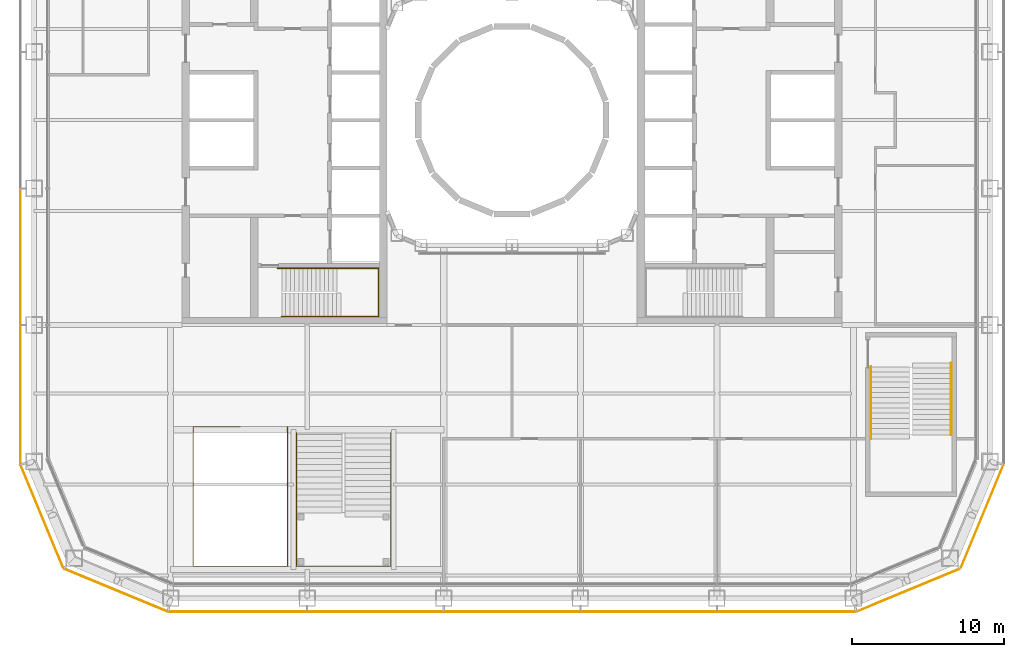
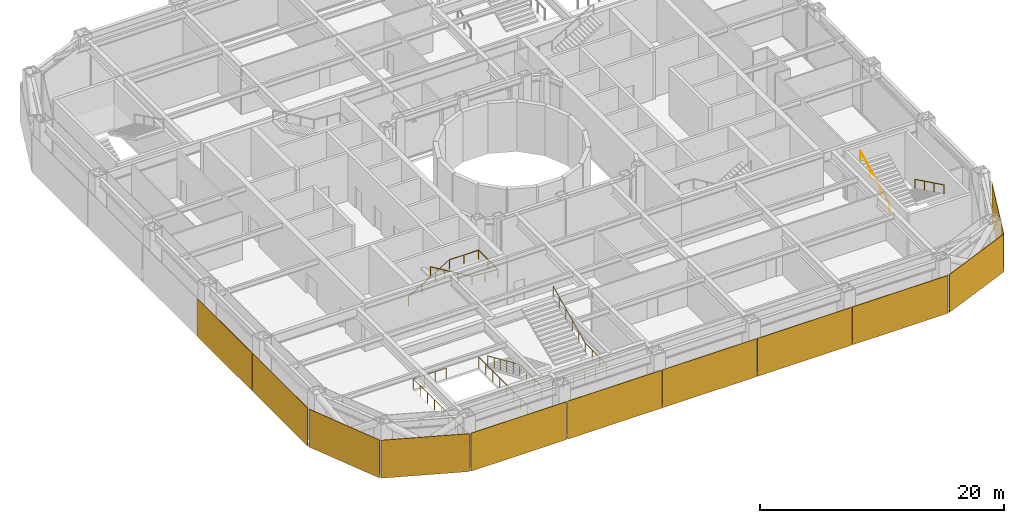
# One storey, part 21 of 25: 11 coverings, 5 railings.
"""IFC4 building model written with IfcOpenShell, lengths in metres."""

import ifcopenshell
import ifcopenshell.guid

model = None  # the IFC model being written
_history = None  # IfcOwnerHistory: only IFC2X3 demands one
_inside = {}  # id of a spatial element -> (the spatial element, [elements in it])
_under = {}  # id of a project, library or spatial element -> (it, [spatial elements below it])
_declared = {}  # id of a project -> (the project, [libraries it declares])
_typed = {}  # id of a type object -> (the type object, [elements of that type])
_made_of = {}  # id of a material, layer set ... -> (it, [elements and type objects made of it])


def new_model(schema):
    """Start an empty IFC model of exactly this schema.

    Asked for "IFC4X3", IfcOpenShell would pick the latest addendum, in which some entities
    have other attributes; the version numbers below select the first issue.
    IFC2X3 requires an IfcOwnerHistory on every rooted entity: one is made here for all.
    """
    global model, _history
    if schema == "IFC4X3":
        model = ifcopenshell.file(schema_version=(4, 3, 0, 0))
    else:
        model = ifcopenshell.file(schema=schema)
    _inside.clear()
    _under.clear()
    _declared.clear()
    _typed.clear()
    _made_of.clear()
    _history = None
    if model.schema == "IFC2X3":
        org = make("IfcOrganization", Name="unknown")
        user = make(
            "IfcPersonAndOrganization",
            ThePerson=make("IfcPerson", FamilyName="unknown"),
            TheOrganization=org,
        )
        app = make(
            "IfcApplication",
            ApplicationDeveloper=org,
            Version="unknown",
            ApplicationFullName="unknown",
            ApplicationIdentifier="unknown",
        )
        _history = make(
            "IfcOwnerHistory",
            OwningUser=user,
            OwningApplication=app,
            ChangeAction="ADDED",
            CreationDate=0,
        )
    return model


def make(cls, **values):
    """One entity of the class cls with the attributes given. An attribute that is None is left unset."""
    return model.create_entity(
        cls, **{name: value for name, value in values.items() if value is not None}
    )


def rooted(cls, **values):
    """An entity with a GlobalId (a new one), such as an element, a storey or a relation."""
    return make(cls, GlobalId=ifcopenshell.guid.new(), OwnerHistory=_history, **values)


def si_unit(unit_type, name, prefix=None):
    """IfcSIUnit, for example si_unit("LENGTHUNIT", "METRE", prefix="MILLI")."""
    return make("IfcSIUnit", UnitType=unit_type, Prefix=prefix, Name=name)


def assignment(units):
    """IfcUnitAssignment: the units of a project."""
    return None if units is None else make("IfcUnitAssignment", Units=units)


def point(xyz):
    """IfcCartesianPoint."""
    return None if xyz is None else make("IfcCartesianPoint", Coordinates=xyz)


def direction(xyz):
    """IfcDirection."""
    return None if xyz is None else make("IfcDirection", DirectionRatios=xyz)


def frame(location, z_axis=None, x_axis=None):
    """IfcAxis2Placement3D, a coordinate frame: its origin and axes. An axis left out is left unset."""
    return make(
        "IfcAxis2Placement3D",
        Location=point(location),
        Axis=direction(z_axis),
        RefDirection=direction(x_axis),
    )


def frame_2d(location, x_axis=None):
    """IfcAxis2Placement2D, a coordinate frame in the plane: its origin and x axis."""
    return make(
        "IfcAxis2Placement2D", Location=point(location), RefDirection=direction(x_axis)
    )


def origin():
    """The frame at (0, 0, 0) with its axes left unset."""
    return frame((0.0, 0.0, 0.0))


def origin_2d():
    """The frame at (0, 0) in the plane with its x axis left unset."""
    return frame_2d((0.0, 0.0))


def place(relative_to, where):
    """IfcLocalPlacement: puts the frame where relative to a parent placement (None: the world)."""
    return make(
        "IfcLocalPlacement", PlacementRelTo=relative_to, RelativePlacement=where
    )


def context(
    kind, dimensions, precision=None, world=None, true_north=None, identifier=None
):
    """IfcGeometricRepresentationContext, for example the 3D "Model" context."""
    return make(
        "IfcGeometricRepresentationContext",
        ContextIdentifier=identifier,
        ContextType=kind,
        CoordinateSpaceDimension=dimensions,
        Precision=precision,
        WorldCoordinateSystem=world,
        TrueNorth=true_north,
    )


def subcontext(parent, identifier, kind, view, scale=None):
    """IfcGeometricRepresentationSubContext, for example "Body" below "Model"."""
    return make(
        "IfcGeometricRepresentationSubContext",
        ContextIdentifier=identifier,
        ContextType=kind,
        ParentContext=parent,
        TargetScale=scale,
        TargetView=view,
    )


def project(units=None, contexts=None):
    """IfcProject with its units and contexts."""
    return rooted(
        "IfcProject",
        Name="project",
        RepresentationContexts=contexts,
        UnitsInContext=assignment(units),
    )


def spatial(cls, under=None, at=None, **own):
    """A site, building, storey or space (cls), placed at a placement, below another one or the project."""
    s = rooted(cls, ObjectPlacement=at, **own)
    if under is not None:
        _under.setdefault(under.id(), (under, []))[1].append(s)
    return s


def profile(cls, at=None, kind="AREA", **sizes):
    """A parametric profile (cls). Its sizes go by their IFC names, for example OverallWidth=200.0."""
    return make(cls, ProfileType=kind, Position=at, **sizes)


def rectangle(**sizes):
    """IfcRectangleProfileDef."""
    return profile("IfcRectangleProfileDef", **sizes)


def circle(**sizes):
    """IfcCircleProfileDef."""
    return profile("IfcCircleProfileDef", **sizes)


def extrude(swept, where, along, depth):
    """IfcExtrudedAreaSolid: the profile swept, set in the frame where, extruded along a direction by depth."""
    return make(
        "IfcExtrudedAreaSolid",
        SweptArea=swept,
        Position=where,
        ExtrudedDirection=direction(along),
        Depth=depth,
    )


def shape(context_of_items, identifier, shape_type, items):
    """IfcShapeRepresentation: the items that make up one representation, for example the "Body"."""
    return make(
        "IfcShapeRepresentation",
        ContextOfItems=context_of_items,
        RepresentationIdentifier=identifier,
        RepresentationType=shape_type,
        Items=items,
    )


def material(Name=None, Category=None):
    """IfcMaterial."""
    return make("IfcMaterial", Name=Name, Category=Category)


def layer(
    of_material, thickness, ventilated=None, Name=None, Category=None, Priority=None
):
    """IfcMaterialLayer: one layer of a wall or slab, of a material (None: an air gap)."""
    return make(
        "IfcMaterialLayer",
        Material=of_material,
        LayerThickness=thickness,
        IsVentilated=ventilated,
        Name=Name,
        Category=Category,
        Priority=Priority,
    )


def layer_set(layers, Name=None):
    """IfcMaterialLayerSet."""
    return make("IfcMaterialLayerSet", MaterialLayers=layers, LayerSetName=Name)


def made_of(thing, what):
    """Note that an element or type object is made of a material, layer set ...; save() writes the relation."""
    if what is not None:
        _made_of.setdefault(what.id(), (what, []))[1].append(thing)
    return thing


def type_object(cls, material=None, **own):
    """A type object (cls), such as IfcWallType, which elements share."""
    return made_of(rooted(cls, **own), material)


def element(
    cls,
    number,
    at=None,
    inside=None,
    cuts=None,
    type_object=None,
    material=None,
    context=None,
    identifier="Body",
    shape_type=None,
    held_by="IfcProductDefinitionShape",
    body=None,
    shapes=None,
    **own,
):
    """One element of the class cls, such as IfcWall. Its Tag is "e" and its number.

    at: its placement. inside: the storey or other place that contains it. cuts: it is an
    opening in that element (IfcRelVoidsElement). A single representation is given by context,
    identifier, shape_type and body (its items); several are given by shapes. held_by: the class
    of the entity that holds the representations. save() writes the other relations.
    """
    e = rooted(cls, Tag="e%d" % number, ObjectPlacement=at, **own)
    if body is not None:
        shapes = [shape(context, identifier, shape_type, body)]
    if shapes is not None:
        e.Representation = make(held_by, Representations=shapes)
    if inside is not None:
        _inside.setdefault(inside.id(), (inside, []))[1].append(e)
    if cuts is not None:
        rooted(
            "IfcRelVoidsElement", RelatingBuildingElement=cuts, RelatedOpeningElement=e
        )
    if type_object is not None:
        _typed.setdefault(type_object.id(), (type_object, []))[1].append(e)
    return made_of(e, material)


def aggregate(whole, parts):
    """IfcRelAggregates: a whole, such as a stair, and the parts it consists of."""
    return rooted("IfcRelAggregates", RelatingObject=whole, RelatedObjects=parts)


def save(model, path):
    """Write the relations noted so far, then the file.

    IfcRelAggregates (storeys below a building ...), IfcRelContainedInSpatialStructure (elements
    in a storey), IfcRelDefinesByType, IfcRelAssociatesMaterial and IfcRelDeclares: one each for
    every whole, place, type object, material and project.
    """
    for whole, parts in _under.values():
        aggregate(whole, parts)
    for where, things in _inside.values():
        rooted(
            "IfcRelContainedInSpatialStructure",
            RelatedElements=things,
            RelatingStructure=where,
        )
    for kind, things in _typed.values():
        rooted("IfcRelDefinesByType", RelatedObjects=things, RelatingType=kind)
    for what, things in _made_of.values():
        rooted("IfcRelAssociatesMaterial", RelatedObjects=things, RelatingMaterial=what)
    for by, libraries in _declared.values():
        rooted("IfcRelDeclares", RelatingContext=by, RelatedDefinitions=libraries)
    model.write(path)


model = new_model("IFC4")

# Units and contexts
model_context = context("Model", 3, precision=1e-05, world=origin(), true_north=direction((0.0, 1.0)))
body_context = subcontext(model_context, "Body", "Model", "MODEL_VIEW")
ifc_project = project(units=[si_unit("LENGTHUNIT", "METRE"), si_unit("AREAUNIT", "SQUARE_METRE"), si_unit("VOLUMEUNIT", "CUBIC_METRE"), si_unit("PLANEANGLEUNIT", "RADIAN"), si_unit("MASSUNIT", "GRAM", prefix="KILO")], contexts=[model_context])

# Site, building, storey
site_placement = place(None, origin())
site = spatial("IfcSite", under=ifc_project, at=site_placement, CompositionType="ELEMENT")
building_placement = place(site_placement, origin())
building = spatial("IfcBuilding", under=site, at=building_placement, Name="Siwar Civic Tower", CompositionType="ELEMENT")
storey_placement = place(building_placement, frame((0.0, 0.0, 7.199951171875)))
storey = spatial("IfcBuildingStorey", under=building, at=storey_placement, Name="L01", CompositionType="ELEMENT", Elevation=7.199951171875)

# Railing
ifc_material_1 = material(Name="Stainless steel", Category="steel")
railing_type_1 = type_object("IfcRailingType", Name="CORE-STAIR-HANDRAIL", PredefinedType="HANDRAIL", material=ifc_material_1)
railing_1_placement = place(storey_placement, frame((-15.449951171875, -9.758056640625, 0.166748046875)))
element("IfcRailing", 1, at=railing_1_placement, inside=storey, type_object=railing_type_1, Name="Stair handrail ST2", PredefinedType="HANDRAIL", context=body_context, shape_type="SweptSolid", body=[
    extrude(circle(Radius=0.02001953125, at=origin_2d()), frame((0.0, 0.0, 0.8798828125), z_axis=(0.856384976194, 0.0, 0.516337847296), x_axis=(0.0, 1.0, 0.0)), (0.0, 0.0, 1.0), 4.518798828125),
    extrude(circle(Radius=0.02001953125, at=origin_2d()), frame((3.869873046875, 0.0, 3.213134765625), z_axis=(1.0, 0.0, 0.0), x_axis=(0.0, 1.0, 0.0)), (0.0, 0.0, 1.0), 2.77197265625),
    extrude(circle(Radius=0.02001953125, at=origin_2d()), frame((6.641845703125, 0.0, 3.213134765625), z_axis=(0.0, -1.0, 0.0), x_axis=(1.0, 0.0, 0.0)), (0.0, 0.0, 1.0), 3.183837890625),
    extrude(circle(Radius=0.02001953125, at=origin_2d()), frame((6.641845703125, -3.183837890625, 3.213134765625), z_axis=(-0.997732526271, 0.0, 0.067303833624), x_axis=(0.0, -1.0, 0.0)), (0.0, 0.0, 1.0), 2.4775390625),
    extrude(circle(Radius=0.02001953125, at=origin_2d()), frame((4.169921875, -3.183837890625, 3.3798828125), z_axis=(-0.859296244711, 0.0, 0.511478214419), x_axis=(0.0, -1.0, 0.0)), (0.0, 0.0, 1.0), 4.561767578125),
    extrude(circle(Radius=0.02001953125, at=origin_2d()), origin(), (0.0, 0.0, 1.0), 0.85986328125),
    extrude(circle(Radius=0.02001953125, at=origin_2d()), frame((1.2900390625, 0.0, 0.77783203125)), (0.0, 0.0, 1.0), 0.85986328125),
    extrude(circle(Radius=0.02001953125, at=origin_2d()), frame((2.579833984375, 0.0, 1.555419921875)), (0.0, 0.0, 1.0), 0.85986328125),
    extrude(circle(Radius=0.02001953125, at=origin_2d()), frame((3.869873046875, 0.0, 2.333251953125)), (0.0, 0.0, 1.0), 0.85986328125),
    extrude(circle(Radius=0.02001953125, at=origin_2d()), frame((5.255859375, 0.0, 2.333251953125)), (0.0, 0.0, 1.0), 0.85986328125),
    extrude(circle(Radius=0.02001953125, at=origin_2d()), frame((6.641845703125, 0.0, 2.333251953125)), (0.0, 0.0, 1.0), 0.85986328125),
    extrude(circle(Radius=0.02001953125, at=origin_2d()), frame((6.641845703125, -1.591796875, 2.333251953125)), (0.0, 0.0, 1.0), 0.85986328125),
    extrude(circle(Radius=0.02001953125, at=origin_2d()), frame((6.641845703125, -3.183837890625, 2.333251953125)), (0.0, 0.0, 1.0), 0.85986328125),
    extrude(circle(Radius=0.02001953125, at=origin_2d()), frame((5.40576171875, -3.183837890625, 2.41650390625)), (0.0, 0.0, 1.0), 0.85986328125),
    extrude(circle(Radius=0.02001953125, at=origin_2d()), frame((4.169921875, -3.183837890625, 2.5)), (0.0, 0.0, 1.0), 0.85986328125),
    extrude(circle(Radius=0.02001953125, at=origin_2d()), frame((2.86328125, -3.183837890625, 3.27783203125)), (0.0, 0.0, 1.0), 0.85986328125),
    extrude(circle(Radius=0.02001953125, at=origin_2d()), frame((1.556640625, -3.183837890625, 4.055419921875)), (0.0, 0.0, 1.0), 0.85986328125),
    extrude(circle(Radius=0.02001953125, at=origin_2d()), frame((0.25, -3.183837890625, 4.833251953125)), (0.0, 0.0, 1.0), 0.85986328125),
])

# Coverings
ifc_material_2 = material(Name="Perforated aluminium cassette, pale metal", Category="aluminium")
ifc_layer_1 = layer(ifc_material_2, 0.044921875)
ifc_layer_set_1 = layer_set([ifc_layer_1], Name="Perforated aluminium cassette, pale metal")
covering_type_1 = type_object("IfcCoveringType", Name="ENV-OUTER SKIN OS-2", PredefinedType="CLADDING", material=ifc_layer_set_1)
covering_1_placement = place(storey_placement, frame((30.976318359375, -26.115966796875, -0.2001953125), z_axis=(0.0, 0.0, 1.0), x_axis=(0.382683432365, 0.923879532511, 0.0)))
element("IfcCovering", 2, at=covering_1_placement, inside=storey, type_object=covering_type_1, Name="OUTER SKIN OS-2 SE2 1", PredefinedType="CLADDING", context=body_context, shape_type="SweptSolid", body=[
    extrude(rectangle(XDim=7.300048828125, YDim=0.044921875, at=origin_2d()), origin(), (0.0, 0.0, 1.0), 3.800048828125),
])
ifc_material_3 = material(Name="Perforated aluminium cassette, pale metal", Category="aluminium")
ifc_layer_2 = layer(ifc_material_3, 0.050048828125)
ifc_layer_set_2 = layer_set([ifc_layer_2], Name="Perforated aluminium cassette, pale metal")
covering_type_2 = type_object("IfcCoveringType", Name="ENV-OUTER SKIN OS-3", PredefinedType="CLADDING", material=ifc_layer_set_2)
covering_2_placement = place(storey_placement, frame((26.115966796875, -30.976318359375, -0.2001953125), z_axis=(0.0, 0.0, 1.0), x_axis=(0.923879532511, 0.382683432365, 0.0)))
element("IfcCovering", 3, at=covering_2_placement, inside=storey, type_object=covering_type_2, Name="OUTER SKIN OS-3 SE1 1", PredefinedType="CLADDING", context=body_context, shape_type="SweptSolid", body=[
    extrude(rectangle(XDim=7.300048828125, YDim=0.050048828125, at=origin_2d()), origin(), (0.0, 0.0, 1.0), 3.800048828125),
])
covering_3_placement = place(storey_placement, frame((-32.39990234375, -9.0, -0.2001953125), z_axis=(0.0, 0.0, 1.0), x_axis=(0.0, -1.0, 0.0)))
element("IfcCovering", 4, at=covering_3_placement, inside=storey, type_object=covering_type_2, Name="OUTER SKIN OS-3 W 4", PredefinedType="CLADDING", context=body_context, shape_type="SweptSolid", body=[
    extrude(rectangle(XDim=8.89990234375, YDim=0.050048828125, at=origin_2d()), origin(), (0.0, 0.0, 1.0), 3.800048828125),
])
covering_4_placement = place(storey_placement, frame((-32.39990234375, -18.07958984375, -0.2001953125), z_axis=(0.0, 0.0, 1.0), x_axis=(0.0, -1.0, 0.0)))
element("IfcCovering", 5, at=covering_4_placement, inside=storey, type_object=covering_type_2, Name="OUTER SKIN OS-3 W 5", PredefinedType="CLADDING", context=body_context, shape_type="SweptSolid", body=[
    extrude(rectangle(XDim=9.05908203125, YDim=0.050048828125, at=origin_2d()), origin(), (0.0, 0.0, 1.0), 3.800048828125),
])
ifc_material_4 = material(Name="Perforated aluminium cassette, pale metal", Category="aluminium")
ifc_layer_3 = layer(ifc_material_4, 0.054931640625)
ifc_layer_set_3 = layer_set([ifc_layer_3], Name="Perforated aluminium cassette, pale metal")
covering_type_3 = type_object("IfcCoveringType", Name="ENV-OUTER SKIN OS-4", PredefinedType="CLADDING", material=ifc_layer_set_3)
covering_5_placement = place(storey_placement, frame((-18.07958984375, -32.39990234375, -0.2001953125), z_axis=(0.0, 0.0, 1.0), x_axis=(1.0, 0.0, 0.0)))
element("IfcCovering", 6, at=covering_5_placement, inside=storey, type_object=covering_type_3, Name="OUTER SKIN OS-4 S 1", PredefinedType="CLADDING", context=body_context, shape_type="SweptSolid", body=[
    extrude(rectangle(XDim=9.05908203125, YDim=0.054931640625, at=origin_2d()), origin(), (0.0, 0.0, 1.0), 3.800048828125),
])
for number, where, z_axis, x_axis, name in (
    (7, (-9.0, -32.39990234375, -0.2001953125), (0.0, 0.0, 1.0), (1.0, 0.0, 0.0), "OUTER SKIN OS-4 S 2"),
    (8, (0.0, -32.39990234375, -0.2001953125), (0.0, 0.0, 1.0), (1.0, 0.0, 0.0), "OUTER SKIN OS-4 S 3"),
    (9, (9.0, -32.39990234375, -0.2001953125), (0.0, 0.0, 1.0), (1.0, 0.0, 0.0), "OUTER SKIN OS-4 S 4"),
):
    element("IfcCovering", number, at=place(storey_placement, frame(where, z_axis=z_axis, x_axis=x_axis)), inside=storey, type_object=covering_type_3, Name=name, PredefinedType="CLADDING", context=body_context, shape_type="SweptSolid", body=[
        extrude(rectangle(XDim=8.89990234375, YDim=0.054931640625, at=origin_2d()), origin(), (0.0, 0.0, 1.0), 3.800048828125),
    ])
covering_6_placement = place(storey_placement, frame((18.07958984375, -32.39990234375, -0.2001953125), z_axis=(0.0, 0.0, 1.0), x_axis=(1.0, 0.0, 0.0)))
element("IfcCovering", 10, at=covering_6_placement, inside=storey, type_object=covering_type_3, Name="OUTER SKIN OS-4 S 5", PredefinedType="CLADDING", context=body_context, shape_type="SweptSolid", body=[
    extrude(rectangle(XDim=9.05908203125, YDim=0.054931640625, at=origin_2d()), origin(), (0.0, 0.0, 1.0), 3.800048828125),
])
for number, where, z_axis, x_axis, name in (
    (11, (-30.976318359375, -26.115966796875, -0.2001953125), (0.0, 0.0, 1.0), (0.382683432365, -0.923879532511, 0.0), "OUTER SKIN OS-4 SW1 1"),
    (12, (-26.115966796875, -30.976318359375, -0.2001953125), (0.0, 0.0, 1.0), (0.923879532511, -0.382683432365, 0.0), "OUTER SKIN OS-4 SW2 1"),
):
    element("IfcCovering", number, at=place(storey_placement, frame(where, z_axis=z_axis, x_axis=x_axis)), inside=storey, type_object=covering_type_3, Name=name, PredefinedType="CLADDING", context=body_context, shape_type="SweptSolid", body=[
        extrude(rectangle(XDim=7.300048828125, YDim=0.054931640625, at=origin_2d()), origin(), (0.0, 0.0, 1.0), 3.800048828125),
    ])

# Railings
ifc_material_5 = material(Name="Stainless steel", Category="steel")
railing_type_2 = type_object("IfcRailingType", Name="GND-HANDRAIL", PredefinedType="HANDRAIL", material=ifc_material_5)
railing_2_placement = place(storey_placement, frame((28.94189453125, -16.0, 0.166748046875)))
element("IfcRailing", 13, at=railing_2_placement, inside=storey, type_object=railing_type_2, Name="Stair handrail ST6", PredefinedType="HANDRAIL", context=body_context, shape_type="SweptSolid", body=[
    extrude(circle(Radius=0.02001953125, at=origin_2d()), frame((0.0, 0.0, 0.8798828125), z_axis=(0.0, -0.897927146867, 0.440144111535), x_axis=(1.0, 0.0, 0.0)), (0.0, 0.0, 1.0), 5.301025390625),
    extrude(circle(Radius=0.02001953125, at=origin_2d()), origin(), (0.0, 0.0, 1.0), 0.85986328125),
    extrude(circle(Radius=0.02001953125, at=origin_2d()), frame((0.0, -1.586669921875, 0.77783203125)), (0.0, 0.0, 1.0), 0.85986328125),
    extrude(circle(Radius=0.02001953125, at=origin_2d()), frame((0.0, -3.17333984375, 1.555419921875)), (0.0, 0.0, 1.0), 0.85986328125),
    extrude(circle(Radius=0.02001953125, at=origin_2d()), frame((0.0, -4.760009765625, 2.333251953125)), (0.0, 0.0, 1.0), 0.85986328125),
])
railing_3_placement = place(storey_placement, frame((23.657958984375, -21.010009765625, 2.666748046875)))
element("IfcRailing", 14, at=railing_3_placement, inside=storey, type_object=railing_type_2, Name="Stair handrail ST6", PredefinedType="HANDRAIL", context=body_context, shape_type="SweptSolid", body=[
    extrude(circle(Radius=0.02001953125, at=origin_2d()), frame((0.0, 0.0, 0.8798828125), z_axis=(0.0, 0.897927146867, 0.440144111535), x_axis=(-1.0, 0.0, 0.0)), (0.0, 0.0, 1.0), 5.301025390625),
    extrude(circle(Radius=0.02001953125, at=origin_2d()), origin(), (0.0, 0.0, 1.0), 0.85986328125),
    extrude(circle(Radius=0.02001953125, at=origin_2d()), frame((0.0, 1.586669921875, 0.77783203125)), (0.0, 0.0, 1.0), 0.85986328125),
    extrude(circle(Radius=0.02001953125, at=origin_2d()), frame((0.0, 3.17333984375, 1.555419921875)), (0.0, 0.0, 1.0), 0.85986328125),
    extrude(circle(Radius=0.02001953125, at=origin_2d()), frame((0.0, 4.760009765625, 2.333251953125)), (0.0, 0.0, 1.0), 0.85986328125),
])
ifc_material_6 = material(Name="Stainless steel", Category="steel")
railing_type_3 = type_object("IfcRailingType", Name="GND-RAIL", PredefinedType="GUARDRAIL", material=ifc_material_6)
railing_4_placement = place(storey_placement, frame((-17.89990234375, -20.199951171875, 0.0)))
element("IfcRailing", 15, at=railing_4_placement, inside=storey, type_object=railing_type_3, Name="Opening guard GS1", PredefinedType="GUARDRAIL", context=body_context, shape_type="SweptSolid", body=[
    extrude(circle(Radius=0.02392578125, at=origin_2d()), frame((0.0, 0.0, 1.076171875), z_axis=(-1.0, 0.0, 0.0), x_axis=(0.0, -1.0, 0.0)), (0.0, 0.0, 1.0), 3.10009765625),
    extrude(circle(Radius=0.02392578125, at=origin_2d()), frame((-3.10009765625, 0.0, 1.076171875), z_axis=(0.0, -1.0, 0.0), x_axis=(1.0, 0.0, 0.0)), (0.0, 0.0, 1.0), 9.199951171875),
    extrude(circle(Radius=0.02392578125, at=origin_2d()), frame((-3.10009765625, -9.199951171875, 1.076171875), z_axis=(1.0, 0.0, 0.0), x_axis=(0.0, 1.0, 0.0)), (0.0, 0.0, 1.0), 6.199951171875),
    extrude(circle(Radius=0.02392578125, at=origin_2d()), frame((3.099853515625, -9.199951171875, 1.076171875), z_axis=(0.0, 1.0, 0.0), x_axis=(-1.0, 0.0, 0.0)), (0.0, 0.0, 1.0), 9.199951171875),
    extrude(circle(Radius=0.02099609375, at=origin_2d()), origin(), (0.0, 0.0, 1.0), 1.052001953125),
    extrude(circle(Radius=0.02099609375, at=origin_2d()), frame((-1.033447265625, 0.0, 0.0)), (0.0, 0.0, 1.0), 1.052001953125),
    extrude(circle(Radius=0.02099609375, at=origin_2d()), frame((-2.066650390625, 0.0, 0.0)), (0.0, 0.0, 1.0), 1.052001953125),
    extrude(circle(Radius=0.02099609375, at=origin_2d()), frame((-3.10009765625, 0.0, 0.0)), (0.0, 0.0, 1.0), 1.052001953125),
    extrude(circle(Radius=0.02099609375, at=origin_2d()), frame((-3.10009765625, -1.14990234375, 0.0)), (0.0, 0.0, 1.0), 1.052001953125),
    extrude(circle(Radius=0.02099609375, at=origin_2d()), frame((-3.10009765625, -2.300048828125, 0.0)), (0.0, 0.0, 1.0), 1.052001953125),
    extrude(circle(Radius=0.02099609375, at=origin_2d()), frame((-3.10009765625, -3.449951171875, 0.0)), (0.0, 0.0, 1.0), 1.052001953125),
    extrude(circle(Radius=0.02099609375, at=origin_2d()), frame((-3.10009765625, -4.60009765625, 0.0)), (0.0, 0.0, 1.0), 1.052001953125),
    extrude(circle(Radius=0.02099609375, at=origin_2d()), frame((-3.10009765625, -5.75, 0.0)), (0.0, 0.0, 1.0), 1.052001953125),
    extrude(circle(Radius=0.02099609375, at=origin_2d()), frame((-3.10009765625, -6.89990234375, 0.0)), (0.0, 0.0, 1.0), 1.052001953125),
    extrude(circle(Radius=0.02099609375, at=origin_2d()), frame((-3.10009765625, -8.050048828125, 0.0)), (0.0, 0.0, 1.0), 1.052001953125),
    extrude(circle(Radius=0.02099609375, at=origin_2d()), frame((-3.10009765625, -9.199951171875, 0.0)), (0.0, 0.0, 1.0), 1.052001953125),
    extrude(circle(Radius=0.02099609375, at=origin_2d()), frame((-2.06689453125, -9.199951171875, 0.0)), (0.0, 0.0, 1.0), 1.052001953125),
    extrude(circle(Radius=0.02099609375, at=origin_2d()), frame((-1.033447265625, -9.199951171875, 0.0)), (0.0, 0.0, 1.0), 1.052001953125),
    extrude(circle(Radius=0.02099609375, at=origin_2d()), frame((0.0, -9.199951171875, 0.0)), (0.0, 0.0, 1.0), 1.052001953125),
    extrude(circle(Radius=0.02099609375, at=origin_2d()), frame((1.033203125, -9.199951171875, 0.0)), (0.0, 0.0, 1.0), 1.052001953125),
    extrude(circle(Radius=0.02099609375, at=origin_2d()), frame((2.06640625, -9.199951171875, 0.0)), (0.0, 0.0, 1.0), 1.052001953125),
    extrude(circle(Radius=0.02099609375, at=origin_2d()), frame((3.099853515625, -9.199951171875, 0.0)), (0.0, 0.0, 1.0), 1.052001953125),
    extrude(circle(Radius=0.02099609375, at=origin_2d()), frame((3.099853515625, -8.050048828125, 0.0)), (0.0, 0.0, 1.0), 1.052001953125),
    extrude(circle(Radius=0.02099609375, at=origin_2d()), frame((3.099853515625, -6.89990234375, 0.0)), (0.0, 0.0, 1.0), 1.052001953125),
    extrude(circle(Radius=0.02099609375, at=origin_2d()), frame((3.099853515625, -5.75, 0.0)), (0.0, 0.0, 1.0), 1.052001953125),
    extrude(circle(Radius=0.02099609375, at=origin_2d()), frame((3.099853515625, -4.60009765625, 0.0)), (0.0, 0.0, 1.0), 1.052001953125),
    extrude(circle(Radius=0.02099609375, at=origin_2d()), frame((3.099853515625, -3.449951171875, 0.0)), (0.0, 0.0, 1.0), 1.052001953125),
    extrude(circle(Radius=0.02099609375, at=origin_2d()), frame((3.099853515625, -2.300048828125, 0.0)), (0.0, 0.0, 1.0), 1.052001953125),
    extrude(circle(Radius=0.02099609375, at=origin_2d()), frame((3.099853515625, -1.14990234375, 0.0)), (0.0, 0.0, 1.0), 1.052001953125),
    extrude(circle(Radius=0.02099609375, at=origin_2d()), frame((3.099853515625, 0.0, 0.0)), (0.0, 0.0, 1.0), 1.052001953125),
])
railing_5_placement = place(storey_placement, frame((-14.199951171875, -20.60009765625, 0.166748046875)))
element("IfcRailing", 16, at=railing_5_placement, inside=storey, type_object=railing_type_3, Name="Guard GS1", PredefinedType="GUARDRAIL", context=body_context, shape_type="SweptSolid", body=[
    extrude(circle(Radius=0.02392578125, at=origin_2d()), frame((0.0, 0.0, 1.076171875), z_axis=(0.0, -0.913816805682, 0.406126637458), x_axis=(1.0, 0.0, 0.0)), (0.0, 0.0, 1.0), 5.7451171875),
    extrude(circle(Radius=0.02392578125, at=origin_2d()), frame((0.0, -5.25, 3.4091796875), z_axis=(0.0, -1.0, 0.0), x_axis=(1.0, 0.0, 0.0)), (0.0, 0.0, 1.0), 3.5498046875),
    extrude(circle(Radius=0.02392578125, at=origin_2d()), frame((0.0, -8.7998046875, 3.4091796875), z_axis=(1.0, 0.0, 0.0), x_axis=(0.0, 1.0, 0.0)), (0.0, 0.0, 1.0), 6.199951171875),
    extrude(circle(Radius=0.02392578125, at=origin_2d()), frame((6.199951171875, -8.7998046875, 3.4091796875), z_axis=(0.0, 1.0, 0.0), x_axis=(-1.0, 0.0, 0.0)), (0.0, 0.0, 1.0), 3.5498046875),
    extrude(circle(Radius=0.02392578125, at=origin_2d()), frame((6.199951171875, -5.25, 3.4091796875), z_axis=(0.0, 0.902860518824, 0.429933580392), x_axis=(-1.0, 0.0, 0.0)), (0.0, 0.0, 1.0), 5.81494140625),
    extrude(circle(Radius=0.02099609375, at=origin_2d()), origin(), (0.0, 0.0, 1.0), 1.052001953125),
    extrude(circle(Radius=0.02099609375, at=origin_2d()), frame((0.0, -1.050048828125, 0.466552734375)), (0.0, 0.0, 1.0), 1.052001953125),
    extrude(circle(Radius=0.02099609375, at=origin_2d()), frame((0.0, -2.10009765625, 0.933349609375)), (0.0, 0.0, 1.0), 1.052001953125),
    extrude(circle(Radius=0.02099609375, at=origin_2d()), frame((0.0, -3.14990234375, 1.39990234375)), (0.0, 0.0, 1.0), 1.052001953125),
    extrude(circle(Radius=0.02099609375, at=origin_2d()), frame((0.0, -4.199951171875, 1.86669921875)), (0.0, 0.0, 1.0), 1.052001953125),
    extrude(circle(Radius=0.02099609375, at=origin_2d()), frame((0.0, -5.25, 2.333251953125)), (0.0, 0.0, 1.0), 1.052001953125),
    extrude(circle(Radius=0.02099609375, at=origin_2d()), frame((0.0, -6.433349609375, 2.333251953125)), (0.0, 0.0, 1.0), 1.052001953125),
    extrude(circle(Radius=0.02099609375, at=origin_2d()), frame((0.0, -7.616455078125, 2.333251953125)), (0.0, 0.0, 1.0), 1.052001953125),
    extrude(circle(Radius=0.02099609375, at=origin_2d()), frame((0.0, -8.7998046875, 2.333251953125)), (0.0, 0.0, 1.0), 1.052001953125),
    extrude(circle(Radius=0.02099609375, at=origin_2d()), frame((1.033203125, -8.7998046875, 2.333251953125)), (0.0, 0.0, 1.0), 1.052001953125),
    extrude(circle(Radius=0.02099609375, at=origin_2d()), frame((2.066650390625, -8.7998046875, 2.333251953125)), (0.0, 0.0, 1.0), 1.052001953125),
    extrude(circle(Radius=0.02099609375, at=origin_2d()), frame((3.10009765625, -8.7998046875, 2.333251953125)), (0.0, 0.0, 1.0), 1.052001953125),
    extrude(circle(Radius=0.02099609375, at=origin_2d()), frame((4.13330078125, -8.7998046875, 2.333251953125)), (0.0, 0.0, 1.0), 1.052001953125),
    extrude(circle(Radius=0.02099609375, at=origin_2d()), frame((5.16650390625, -8.7998046875, 2.333251953125)), (0.0, 0.0, 1.0), 1.052001953125),
    extrude(circle(Radius=0.02099609375, at=origin_2d()), frame((6.199951171875, -8.7998046875, 2.333251953125)), (0.0, 0.0, 1.0), 1.052001953125),
    extrude(circle(Radius=0.02099609375, at=origin_2d()), frame((6.199951171875, -7.616455078125, 2.333251953125)), (0.0, 0.0, 1.0), 1.052001953125),
    extrude(circle(Radius=0.02099609375, at=origin_2d()), frame((6.199951171875, -6.433349609375, 2.333251953125)), (0.0, 0.0, 1.0), 1.052001953125),
    extrude(circle(Radius=0.02099609375, at=origin_2d()), frame((6.199951171875, -5.25, 2.333251953125)), (0.0, 0.0, 1.0), 1.052001953125),
    extrude(circle(Radius=0.02099609375, at=origin_2d()), frame((6.199951171875, -4.199951171875, 2.833251953125)), (0.0, 0.0, 1.0), 1.052001953125),
    extrude(circle(Radius=0.02099609375, at=origin_2d()), frame((6.199951171875, -3.14990234375, 3.333251953125)), (0.0, 0.0, 1.0), 1.052001953125),
    extrude(circle(Radius=0.02099609375, at=origin_2d()), frame((6.199951171875, -2.10009765625, 3.833251953125)), (0.0, 0.0, 1.0), 1.052001953125),
    extrude(circle(Radius=0.02099609375, at=origin_2d()), frame((6.199951171875, -1.050048828125, 4.333251953125)), (0.0, 0.0, 1.0), 1.052001953125),
    extrude(circle(Radius=0.02099609375, at=origin_2d()), frame((6.199951171875, 0.0, 4.833251953125)), (0.0, 0.0, 1.0), 1.052001953125),
])

save(model, "model.ifc")
